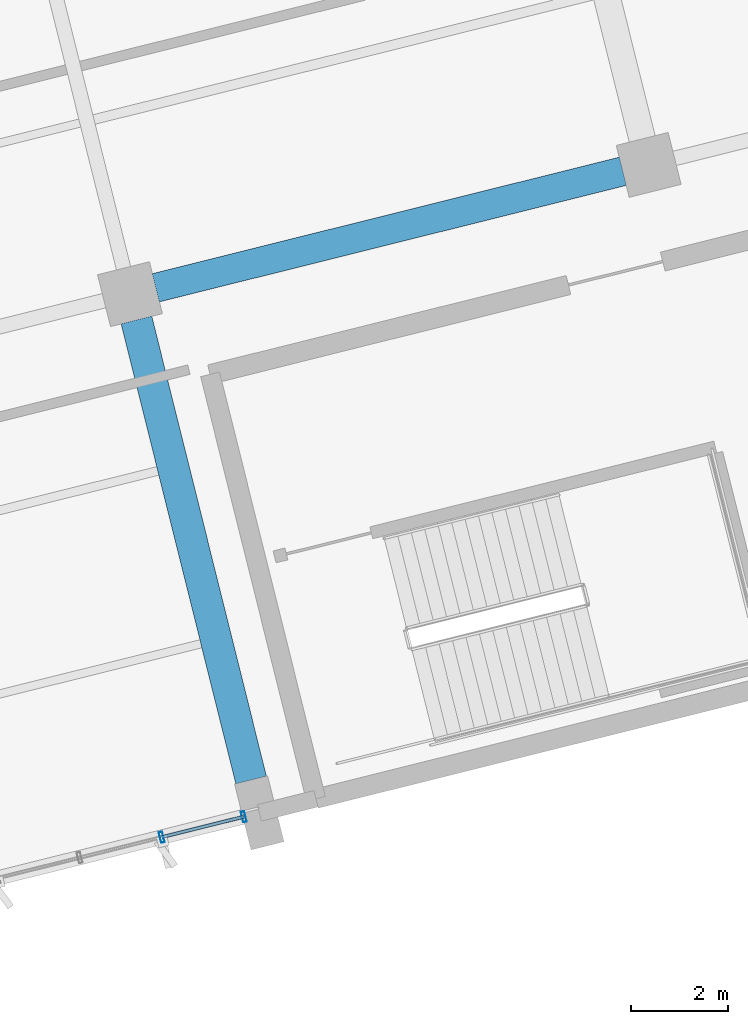
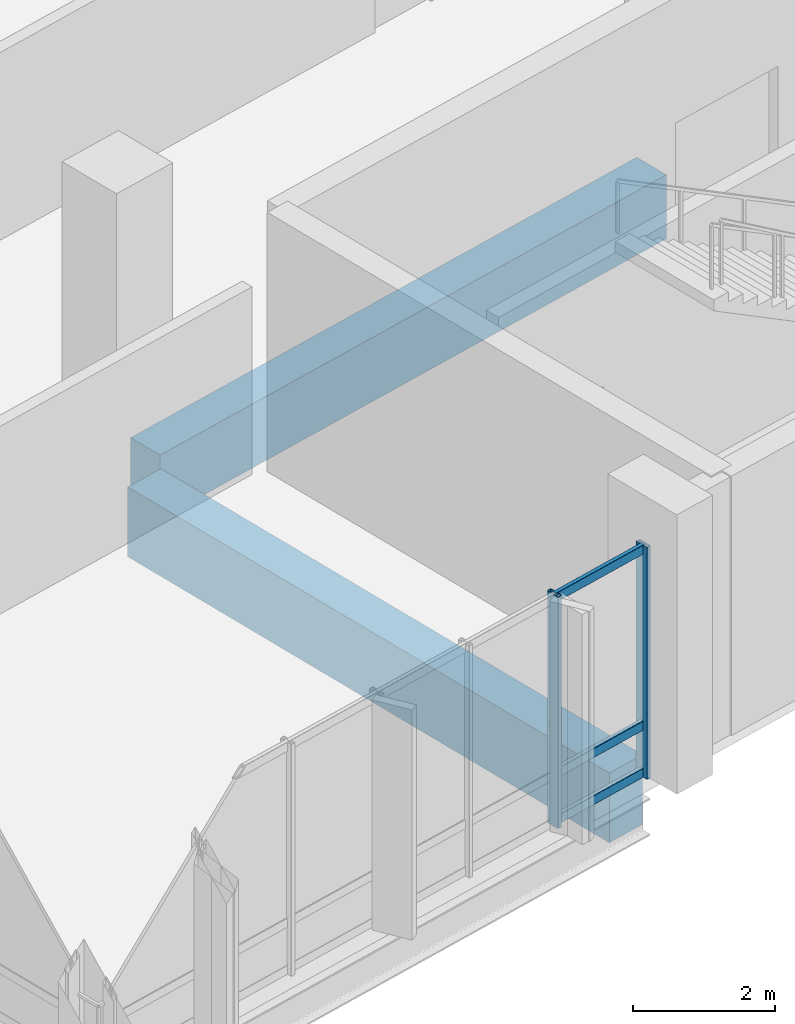
# One storey, part 61 of 137: 5 members, 2 beams, 1 element without a shape of its own.
"""IFC4 building model written with IfcOpenShell, lengths in metres."""

from ifc_helpers import new_model, si_unit, direction, frame, origin, origin_2d, place, context, subcontext, project, spatial, rectangle, hollow_rectangle, extrude, material, layer, layer_set, material_profile, profile_set, type_object, element, aggregate, save


model = new_model("IFC4")

# Units and contexts
model_context = context("Model", 3, precision=1e-05, world=origin(), true_north=direction((0.0, 1.0)))
body_context = subcontext(model_context, "Body", "Model", "MODEL_VIEW")
ifc_project = project(units=[si_unit("LENGTHUNIT", "METRE"), si_unit("AREAUNIT", "SQUARE_METRE"), si_unit("VOLUMEUNIT", "CUBIC_METRE"), si_unit("PLANEANGLEUNIT", "RADIAN"), si_unit("MASSUNIT", "GRAM", prefix="KILO")], contexts=[model_context])

# Site, building, storey
site_placement = place(None, origin())
site = spatial("IfcSite", under=ifc_project, at=site_placement, CompositionType="ELEMENT")
building_placement = place(site_placement, origin())
building = spatial("IfcBuilding", under=site, at=building_placement, Name="Khorjan Park Terminus", CompositionType="ELEMENT")
storey_placement = place(building_placement, frame((0.0, 0.0, 11.4)))
storey = spatial("IfcBuildingStorey", under=building, at=storey_placement, Name="L02", CompositionType="ELEMENT", Elevation=11.4)

# Beams
ifc_material_1 = material(Name="Concrete C40/50", Category="concrete")
ifc_material_profile_1 = material_profile(ifc_material_1, rectangle(XDim=0.6, YDim=1.1, at=origin_2d()), Name="RC 600x1100")
ifc_profile_set_1 = profile_set([ifc_material_profile_1], Name="Concrete C40/50")
beam_type_1 = type_object("IfcBeamType", Name="BM-RC600x1100", PredefinedType="BEAM", material=ifc_profile_set_1)
beam_1_placement = place(storey_placement, frame((174.5409, 15.4662, -0.9), z_axis=(0.970294856426, 0.241925384349, 0.0), x_axis=(-0.241925384349, 0.970294856426, 0.0)))
element("IfcBeam", 1, at=beam_1_placement, inside=storey, type_object=beam_type_1, Name="Primary skew-grid floor girder GB-11 (L02)", PredefinedType="BEAM", context=body_context, shape_type="SweptSolid", body=[
    extrude(rectangle(XDim=0.6, YDim=1.1, at=origin_2d()), origin(), (0.0, 0.0, 1.0), 9.9101),
])
ifc_material_profile_2 = material_profile(ifc_material_1, rectangle(XDim=0.65, YDim=1.2, at=origin_2d()), Name="RC 650x1200")
ifc_profile_set_2 = profile_set([ifc_material_profile_2], Name="Concrete C40/50")
beam_type_2 = type_object("IfcBeamType", Name="BM-RC650x1200", PredefinedType="BEAM", material=ifc_profile_set_2)
beam_2_placement = place(storey_placement, frame((176.5051, 5.3355, -0.95), z_axis=(-0.241915999835, 0.970297196236, 0.0), x_axis=(-0.970297196236, -0.241915999835, 0.0)))
element("IfcBeam", 2, at=beam_2_placement, inside=storey, type_object=beam_type_2, Name="Primary skew-grid floor girder GB-12 (L02)", PredefinedType="BEAM", context=body_context, shape_type="SweptSolid", body=[
    extrude(rectangle(XDim=0.65, YDim=1.2, at=origin_2d()), origin(), (0.0, 0.0, 1.0), 9.76),
])

# Curtain wall, members
ifc_material_2 = material(Name="Anodized Bronze Aluminium", Category="aluminium")
ifc_layer = layer(ifc_material_2, 0.22)
ifc_layer_set = layer_set([ifc_layer], Name="Anodized Bronze Aluminium")
curtain_wall_type = type_object("IfcCurtainWallType", Name="CW-OPS-B", PredefinedType="NOTDEFINED", material=ifc_layer_set)
curtain_wall_placement = place(storey_placement, origin())
curtain_wall = element("IfcCurtainWall", 3, at=curtain_wall_placement, inside=storey, type_object=curtain_wall_type, Name="Unitized curtain wall CW-B (CW-V5-S-L02-B01)", PredefinedType="NOTDEFINED")
ifc_material_profile_3 = material_profile(ifc_material_2, hollow_rectangle(XDim=0.075, YDim=0.225, WallThickness=0.005, InnerFilletRadius=0.005, OuterFilletRadius=0.01, at=origin_2d()), Name="ALM 75x225x5")
ifc_profile_set_3 = profile_set([ifc_material_profile_3], Name="Anodized Bronze Aluminium")
member_type_1 = type_object("IfcMemberType", Name="ML-ALM-225", PredefinedType="MULLION", material=ifc_profile_set_3)
member_1_placement = place(storey_placement, frame((174.6645, 4.1603, -0.035), z_axis=(0.0, 0.0, 1.0), x_axis=(0.970295567478, 0.241922532503, 0.0)))
member_1 = element("IfcMember", 4, at=member_1_placement, type_object=member_type_1, Name="Curtain-wall mullion ML-22 (CW-V5-S-L02-B01-5)", PredefinedType="MULLION", context=body_context, shape_type="SweptSolid", body=[
    extrude(hollow_rectangle(XDim=0.075, YDim=0.225, WallThickness=0.005, InnerFilletRadius=0.005, OuterFilletRadius=0.01, at=origin_2d()), origin(), (0.0, 0.0, 1.0), 3.985),
])
member_2_placement = place(storey_placement, frame((176.3528, 4.5812, -0.035), z_axis=(0.0, 0.0, 1.0), x_axis=(0.970295567478, 0.241922532503, 0.0)))
member_2 = element("IfcMember", 5, at=member_2_placement, type_object=member_type_1, Name="Curtain-wall mullion ML-22 (CW-V5-S-L02-B01-6)", PredefinedType="MULLION", context=body_context, shape_type="SweptSolid", body=[
    extrude(hollow_rectangle(XDim=0.075, YDim=0.225, WallThickness=0.005, InnerFilletRadius=0.005, OuterFilletRadius=0.01, at=origin_2d()), origin(), (0.0, 0.0, 1.0), 3.985),
])
ifc_material_profile_4 = material_profile(ifc_material_2, hollow_rectangle(XDim=0.07, YDim=0.16, WallThickness=0.004, InnerFilletRadius=0.004, OuterFilletRadius=0.008, at=origin_2d()), Name="ALT 70x160x4")
ifc_profile_set_4 = profile_set([ifc_material_profile_4], Name="Anodized Bronze Aluminium")
member_type_2 = type_object("IfcMemberType", Name="TR-ALT-160", PredefinedType="USERDEFINED", material=ifc_profile_set_4)
member_3_placement = place(storey_placement, frame((174.6645, 4.1603, 0.04), z_axis=(0.97030118536, 0.241899999359, 0.0), x_axis=(-0.241899999359, 0.97030118536, 0.0)))
member_3 = element("IfcMember", 6, at=member_3_placement, type_object=member_type_2, Name="Curtain-wall transom TR-16 (CW-V5-S-L02-B01-5-1)", ObjectType="TRANSOM", PredefinedType="USERDEFINED", context=body_context, shape_type="SweptSolid", body=[
    extrude(hollow_rectangle(XDim=0.07, YDim=0.16, WallThickness=0.004, InnerFilletRadius=0.004, OuterFilletRadius=0.008, at=origin_2d()), origin(), (0.0, 0.0, 1.0), 1.74),
])
member_4_placement = place(storey_placement, frame((174.6645, 4.1603, 0.85), z_axis=(0.97030118536, 0.241899999359, 0.0), x_axis=(-0.241899999359, 0.97030118536, 0.0)))
member_4 = element("IfcMember", 7, at=member_4_placement, type_object=member_type_2, Name="Curtain-wall transom TR-16 (CW-V5-S-L02-B01-5-2)", ObjectType="TRANSOM", PredefinedType="USERDEFINED", context=body_context, shape_type="SweptSolid", body=[
    extrude(hollow_rectangle(XDim=0.07, YDim=0.16, WallThickness=0.004, InnerFilletRadius=0.004, OuterFilletRadius=0.008, at=origin_2d()), origin(), (0.0, 0.0, 1.0), 1.74),
])
member_5_placement = place(storey_placement, frame((174.6645, 4.1603, 3.875), z_axis=(0.97030118536, 0.241899999359, 0.0), x_axis=(-0.241899999359, 0.97030118536, 0.0)))
member_5 = element("IfcMember", 8, at=member_5_placement, type_object=member_type_2, Name="Curtain-wall transom TR-16 (CW-V5-S-L02-B01-5-3)", ObjectType="TRANSOM", PredefinedType="USERDEFINED", context=body_context, shape_type="SweptSolid", body=[
    extrude(hollow_rectangle(XDim=0.07, YDim=0.16, WallThickness=0.004, InnerFilletRadius=0.004, OuterFilletRadius=0.008, at=origin_2d()), origin(), (0.0, 0.0, 1.0), 1.74),
])
aggregate(curtain_wall, [member_1, member_2, member_3, member_4, member_5])

save(model, "model.ifc")
